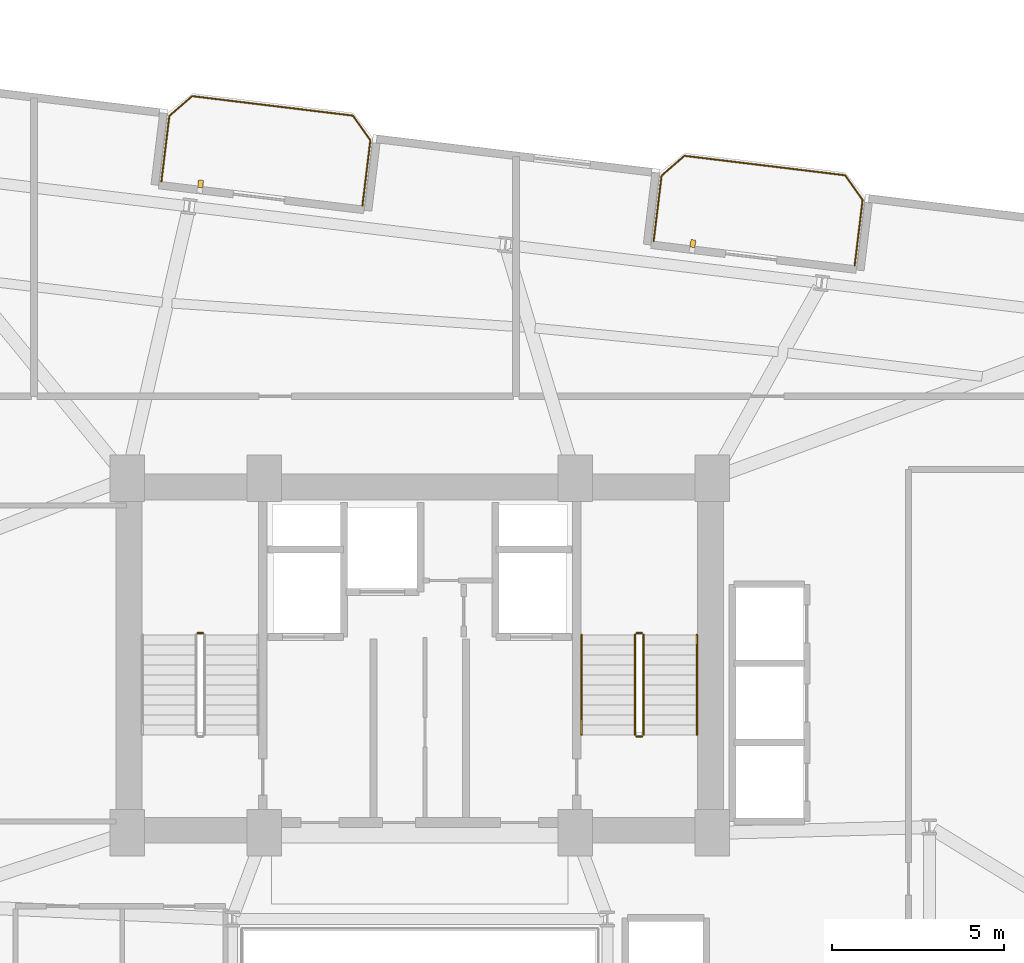
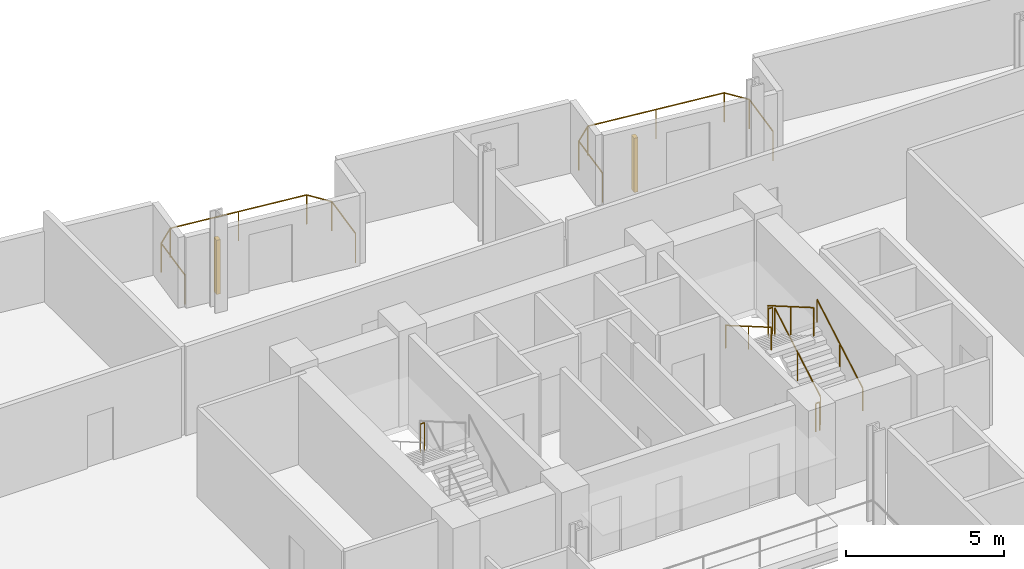
# One storey, part 25 of 25: 9 railings, 2 shading devices.
"""IFC4 building model written with IfcOpenShell, lengths in metres."""

from ifc_helpers import new_model, si_unit, direction, frame, origin, origin_2d, place, context, subcontext, project, spatial, rectangle, circle, extrude, source, transform, mapped, material, type_object, element, save


model = new_model("IFC4")

# Units and contexts
model_context = context("Model", 3, precision=1e-05, world=origin(), true_north=direction((0.0, 1.0)))
body_context = subcontext(model_context, "Body", "Model", "MODEL_VIEW")
ifc_project = project(units=[si_unit("LENGTHUNIT", "METRE"), si_unit("AREAUNIT", "SQUARE_METRE"), si_unit("VOLUMEUNIT", "CUBIC_METRE"), si_unit("PLANEANGLEUNIT", "RADIAN"), si_unit("MASSUNIT", "GRAM", prefix="KILO")], contexts=[model_context])

# Site, building, storey
site_placement = place(None, origin())
site = spatial("IfcSite", under=ifc_project, at=site_placement, CompositionType="ELEMENT")
building_placement = place(site_placement, origin())
building = spatial("IfcBuilding", under=site, at=building_placement, Name="Varnelok Gate Tower", CompositionType="ELEMENT")
storey_placement = place(building_placement, frame((0.0, 0.0, 136.5)))
storey = spatial("IfcBuildingStorey", under=building, at=storey_placement, Name="L34", CompositionType="ELEMENT", Elevation=136.5)

# Railings
ifc_material_1 = material(Name="Low-E Laminated Double Glazing IGU", Category="glass")
railing_type_1 = type_object("IfcRailingType", Name="RL-BALC-1150", PredefinedType="BALUSTRADE", material=ifc_material_1)
railing_1_placement = place(storey_placement, frame((31.697021484375, 47.66552734375, 0.0)))
element("IfcRailing", 1, at=railing_1_placement, inside=storey, type_object=railing_type_1, Name="L34 North Terrace Balustrade 3", PredefinedType="BALUSTRADE", context=body_context, shape_type="SweptSolid", body=[
    extrude(circle(Radius=0.02392578125, at=origin_2d()), frame((0.0, 0.0, 1.1259765625), z_axis=(0.120293392036, 0.992738384386, 0.0), x_axis=(-0.992738384386, 0.120293392036, 0.0)), (0.0, 0.0, 1.0), 1.919921875),
    extrude(circle(Radius=0.02392578125, at=origin_2d()), frame((0.23095703125, 1.906005859375, 1.1259765625), z_axis=(0.756422670136, 0.654083132411, 0.0), x_axis=(-0.654083132411, 0.756422670136, 0.0)), (0.0, 0.0, 1.0), 0.8779296875),
    extrude(circle(Radius=0.02392578125, at=origin_2d()), frame((0.89501953125, 2.480224609375, 1.1259765625), z_axis=(0.992730585037, -0.120357739811, 0.0), x_axis=(0.120357739811, 0.992730585037, 0.0)), (0.0, 0.0, 1.0), 4.699951171875),
    extrude(circle(Radius=0.02392578125, at=origin_2d()), frame((5.560791015625, 1.91455078125, 1.1259765625), z_axis=(0.578287426437, -0.81583310329, 0.0), x_axis=(0.81583310329, 0.578287426437, 0.0)), (0.0, 0.0, 1.0), 0.877685546875),
    extrude(circle(Radius=0.02392578125, at=origin_2d()), frame((6.068359375, 1.198486328125, 1.1259765625), z_axis=(-0.120418709125, -0.992723191274, 0.0), x_axis=(0.992723191274, -0.120418709125, 0.0)), (0.0, 0.0, 1.0), 1.919921875),
    extrude(circle(Radius=0.02099609375, at=origin_2d()), origin(), (0.0, 0.0, 1.0), 1.101806640625),
    extrude(circle(Radius=0.02099609375, at=origin_2d()), frame((0.23095703125, 1.906005859375, 0.0)), (0.0, 0.0, 1.0), 1.101806640625),
    extrude(circle(Radius=0.02099609375, at=origin_2d()), frame((0.89501953125, 2.480224609375, 0.0)), (0.0, 0.0, 1.0), 1.101806640625),
    extrude(circle(Radius=0.02099609375, at=origin_2d()), frame((3.22802734375, 2.197265625, 0.0)), (0.0, 0.0, 1.0), 1.101806640625),
    extrude(circle(Radius=0.02099609375, at=origin_2d()), frame((5.560791015625, 1.91455078125, 0.0)), (0.0, 0.0, 1.0), 1.101806640625),
    extrude(circle(Radius=0.02099609375, at=origin_2d()), frame((6.068359375, 1.198486328125, 0.0)), (0.0, 0.0, 1.0), 1.101806640625),
    extrude(circle(Radius=0.02099609375, at=origin_2d()), frame((5.837158203125, -0.70751953125, 0.0)), (0.0, 0.0, 1.0), 1.101806640625),
])
railing_2_placement = place(storey_placement, frame((45.992431640625, 45.9326171875, 0.0)))
element("IfcRailing", 2, at=railing_2_placement, inside=storey, type_object=railing_type_1, Name="L34 North Terrace Balustrade 4", PredefinedType="BALUSTRADE", context=body_context, shape_type="SweptSolid", body=[
    extrude(circle(Radius=0.02392578125, at=origin_2d()), frame((0.0, 0.0, 1.1259765625), z_axis=(0.120293392036, 0.992738384386, 0.0), x_axis=(-0.992738384386, 0.120293392036, 0.0)), (0.0, 0.0, 1.0), 1.919921875),
    extrude(circle(Radius=0.02392578125, at=origin_2d()), frame((0.23095703125, 1.906005859375, 1.1259765625), z_axis=(0.756422670136, 0.654083132411, 0.0), x_axis=(-0.654083132411, 0.756422670136, 0.0)), (0.0, 0.0, 1.0), 0.8779296875),
    extrude(circle(Radius=0.02392578125, at=origin_2d()), frame((0.89501953125, 2.480224609375, 1.1259765625), z_axis=(0.992730585037, -0.120357739811, 0.0), x_axis=(0.120357739811, 0.992730585037, 0.0)), (0.0, 0.0, 1.0), 4.699951171875),
    extrude(circle(Radius=0.02392578125, at=origin_2d()), frame((5.560791015625, 1.91455078125, 1.1259765625), z_axis=(0.57815621837, -0.815926091726, 0.0), x_axis=(0.815926091726, 0.57815621837, 0.0)), (0.0, 0.0, 1.0), 0.8779296875),
    extrude(circle(Radius=0.02392578125, at=origin_2d()), frame((6.068359375, 1.1982421875, 1.1259765625), z_axis=(-0.120418709125, -0.992723191274, 0.0), x_axis=(0.992723191274, -0.120418709125, 0.0)), (0.0, 0.0, 1.0), 1.919921875),
    extrude(circle(Radius=0.02099609375, at=origin_2d()), origin(), (0.0, 0.0, 1.0), 1.101806640625),
    extrude(circle(Radius=0.02099609375, at=origin_2d()), frame((0.23095703125, 1.906005859375, 0.0)), (0.0, 0.0, 1.0), 1.101806640625),
    extrude(circle(Radius=0.02099609375, at=origin_2d()), frame((0.89501953125, 2.480224609375, 0.0)), (0.0, 0.0, 1.0), 1.101806640625),
    extrude(circle(Radius=0.02099609375, at=origin_2d()), frame((3.22802734375, 2.197265625, 0.0)), (0.0, 0.0, 1.0), 1.101806640625),
    extrude(circle(Radius=0.02099609375, at=origin_2d()), frame((5.560791015625, 1.91455078125, 0.0)), (0.0, 0.0, 1.0), 1.101806640625),
    extrude(circle(Radius=0.02099609375, at=origin_2d()), frame((6.068359375, 1.1982421875, 0.0)), (0.0, 0.0, 1.0), 1.101806640625),
    extrude(circle(Radius=0.02099609375, at=origin_2d()), frame((5.837158203125, -0.707763671875, 0.0)), (0.0, 0.0, 1.0), 1.101806640625),
])
ifc_material_2 = material(Name="Brushed Stainless Steel AISI 316", Category="steel")
railing_type_2 = type_object("IfcRailingType", Name="RL-HANDRAIL-900", PredefinedType="HANDRAIL", material=ifc_material_2)
railing_3_placement = place(storey_placement, frame((47.25, 31.60009765625, 0.168212890625)))
element("IfcRailing", 3, at=railing_3_placement, inside=storey, type_object=railing_type_2, Name="L34 ST-2 stair handrail 1", PredefinedType="HANDRAIL", context=body_context, shape_type="SweptSolid", body=[
    extrude(circle(Radius=0.02392578125, at=origin_2d()), frame((0.0, 0.0, 0.8759765625), z_axis=(0.0, 0.865038774852, 0.501705010941), x_axis=(-1.0, 0.0, 0.0)), (0.0, 0.0, 1.0), 3.352294921875),
    extrude(circle(Radius=0.02099609375, at=origin_2d()), origin(), (0.0, 0.0, 1.0), 0.851806640625),
    extrude(circle(Radius=0.02099609375, at=origin_2d()), frame((0.0, 1.449951171875, 0.8408203125)), (0.0, 0.0, 1.0), 0.851806640625),
    extrude(circle(Radius=0.02099609375, at=origin_2d()), frame((0.0, 2.89990234375, 1.681884765625)), (0.0, 0.0, 1.0), 0.851806640625),
])
railing_4_placement = place(storey_placement, frame((43.89990234375, 34.5, 2.01806640625)))
element("IfcRailing", 4, at=railing_4_placement, inside=storey, type_object=railing_type_2, Name="L34 ST-2 stair handrail 2", PredefinedType="HANDRAIL", context=body_context, shape_type="SweptSolid", body=[
    extrude(circle(Radius=0.02392578125, at=origin_2d()), frame((0.0, 0.0, 0.8759765625), z_axis=(0.0, -0.865038774852, 0.501705010941), x_axis=(1.0, 0.0, 0.0)), (0.0, 0.0, 1.0), 3.352294921875),
    extrude(circle(Radius=0.02099609375, at=origin_2d()), origin(), (0.0, 0.0, 1.0), 0.851806640625),
    extrude(circle(Radius=0.02099609375, at=origin_2d()), frame((0.0, -1.449951171875, 0.8408203125)), (0.0, 0.0, 1.0), 0.851806640625),
    extrude(circle(Radius=0.02099609375, at=origin_2d()), frame((0.0, -2.89990234375, 1.681884765625)), (0.0, 0.0, 1.0), 0.851806640625),
])
ifc_material_3 = material(Name="Galvanized Steel Grade S350GD", Category="steel")
railing_type_3 = type_object("IfcRailingType", Name="RL-STAIR-GUARD1120", PredefinedType="GUARDRAIL", material=ifc_material_3)
railing_5_placement = place(storey_placement, frame((32.89990234375, 34.550048828125, 1.85009765625)))
element("IfcRailing", 5, at=railing_5_placement, inside=storey, type_object=railing_type_3, Name="L34 ST-1 stair guard 2", PredefinedType="GUARDRAIL", context=body_context, shape_type="SweptSolid", body=[
    extrude(circle(Radius=0.02392578125, at=origin_2d()), frame((0.0, 0.0, 1.09619140625), z_axis=(-1.0, 0.0, 0.0), x_axis=(0.0, -1.0, 0.0)), (0.0, 0.0, 1.0), 0.14990234375),
    extrude(circle(Radius=0.02099609375, at=origin_2d()), origin(), (0.0, 0.0, 1.0), 1.072021484375),
    extrude(circle(Radius=0.02099609375, at=origin_2d()), frame((-0.14990234375, 0.0, 0.0)), (0.0, 0.0, 1.0), 1.072021484375),
])
railing_6_placement = place(storey_placement, frame((45.699951171875, 31.60009765625, 0.168212890625)))
element("IfcRailing", 6, at=railing_6_placement, inside=storey, type_object=railing_type_3, Name="L34 ST-2 stair guard 1", PredefinedType="GUARDRAIL", context=body_context, shape_type="SweptSolid", body=[
    extrude(circle(Radius=0.02392578125, at=origin_2d()), frame((0.0, 0.0, 1.09619140625), z_axis=(0.0, 0.865038774852, 0.501705010941), x_axis=(-1.0, 0.0, 0.0)), (0.0, 0.0, 1.0), 3.352294921875),
    extrude(circle(Radius=0.02099609375, at=origin_2d()), origin(), (0.0, 0.0, 1.0), 1.072021484375),
    extrude(circle(Radius=0.02099609375, at=origin_2d()), frame((0.0, 1.449951171875, 0.8408203125)), (0.0, 0.0, 1.0), 1.072021484375),
    extrude(circle(Radius=0.02099609375, at=origin_2d()), frame((0.0, 2.89990234375, 1.681884765625)), (0.0, 0.0, 1.0), 1.072021484375),
])
railing_7_placement = place(storey_placement, frame((45.64990234375, 34.550048828125, 1.85009765625)))
element("IfcRailing", 7, at=railing_7_placement, inside=storey, type_object=railing_type_3, Name="L34 ST-2 stair guard 2", PredefinedType="GUARDRAIL", context=body_context, shape_type="SweptSolid", body=[
    extrude(circle(Radius=0.02392578125, at=origin_2d()), frame((0.0, 0.0, 1.09619140625), z_axis=(-1.0, 0.0, 0.0), x_axis=(0.0, -1.0, 0.0)), (0.0, 0.0, 1.0), 0.14990234375),
    extrude(circle(Radius=0.02099609375, at=origin_2d()), origin(), (0.0, 0.0, 1.0), 1.072021484375),
    extrude(circle(Radius=0.02099609375, at=origin_2d()), frame((-0.14990234375, 0.0, 0.0)), (0.0, 0.0, 1.0), 1.072021484375),
])
railing_8_placement = place(storey_placement, frame((45.449951171875, 34.5, 2.01806640625)))
element("IfcRailing", 8, at=railing_8_placement, inside=storey, type_object=railing_type_3, Name="L34 ST-2 stair guard 3", PredefinedType="GUARDRAIL", context=body_context, shape_type="SweptSolid", body=[
    extrude(circle(Radius=0.02392578125, at=origin_2d()), frame((0.0, 0.0, 1.09619140625), z_axis=(0.0, -0.865038774852, 0.501705010941), x_axis=(1.0, 0.0, 0.0)), (0.0, 0.0, 1.0), 3.352294921875),
    extrude(circle(Radius=0.02099609375, at=origin_2d()), origin(), (0.0, 0.0, 1.0), 1.072021484375),
    extrude(circle(Radius=0.02099609375, at=origin_2d()), frame((0.0, -1.449951171875, 0.8408203125)), (0.0, 0.0, 1.0), 1.072021484375),
    extrude(circle(Radius=0.02099609375, at=origin_2d()), frame((0.0, -2.89990234375, 1.681884765625)), (0.0, 0.0, 1.0), 1.072021484375),
])
railing_9_placement = place(storey_placement, frame((45.64990234375, 31.550048828125, 0.0)))
element("IfcRailing", 9, at=railing_9_placement, inside=storey, type_object=railing_type_3, Name="L34 ST-2 stair guard 4", PredefinedType="GUARDRAIL", context=body_context, shape_type="SweptSolid", body=[
    extrude(circle(Radius=0.02392578125, at=origin_2d()), frame((0.0, 0.0, 1.09619140625), z_axis=(-1.0, 0.0, 0.0), x_axis=(0.0, -1.0, 0.0)), (0.0, 0.0, 1.0), 0.14990234375),
    extrude(circle(Radius=0.02099609375, at=origin_2d()), origin(), (0.0, 0.0, 1.0), 1.072021484375),
    extrude(circle(Radius=0.02099609375, at=origin_2d()), frame((-0.14990234375, 0.0, 0.0)), (0.0, 0.0, 1.0), 1.072021484375),
])

# Shading devices
ifc_material_4 = material(Name="Glazed Architectural Terracotta Ceramic", Category="masonry")
shading_device_type = type_object("IfcShadingDeviceType", Name="SHD-TERRA-BAGUETTE", PredefinedType="USERDEFINED", material=ifc_material_4)
shared_shape = source(origin(), body_context, "Body", "SweptSolid", [
    extrude(rectangle(XDim=0.139892578125, YDim=0.219970703125, at=origin_2d()), origin(), (0.0, 0.0, 1.0), 2.10009765625),
])
for number, where, z_axis, x_axis, name in (
    (10, (32.837158203125, 47.597900390625, 0.099853515625), (0.0, 0.0, 1.0), (0.992732158755, -0.12034475881, 0.0), "L34 Terracotta Ceramic Baguette Sunscreen 3.1"),
    (11, (47.132568359375, 45.86474609375, 0.099853515625), (0.0, 0.0, 1.0), (0.992732158755, -0.12034475881, 0.0), "L34 Terracotta Ceramic Baguette Sunscreen 4.1"),
):
    element("IfcShadingDevice", number, at=place(storey_placement, frame(where, z_axis=z_axis, x_axis=x_axis)), inside=storey, type_object=shading_device_type, Name=name, ObjectType="BAGUETTE", PredefinedType="USERDEFINED", context=body_context, shape_type="MappedRepresentation", body=[
        mapped(shared_shape, transform((0.0, 0.0, 0.0), scale=1.0)),
    ])

save(model, "model.ifc")
